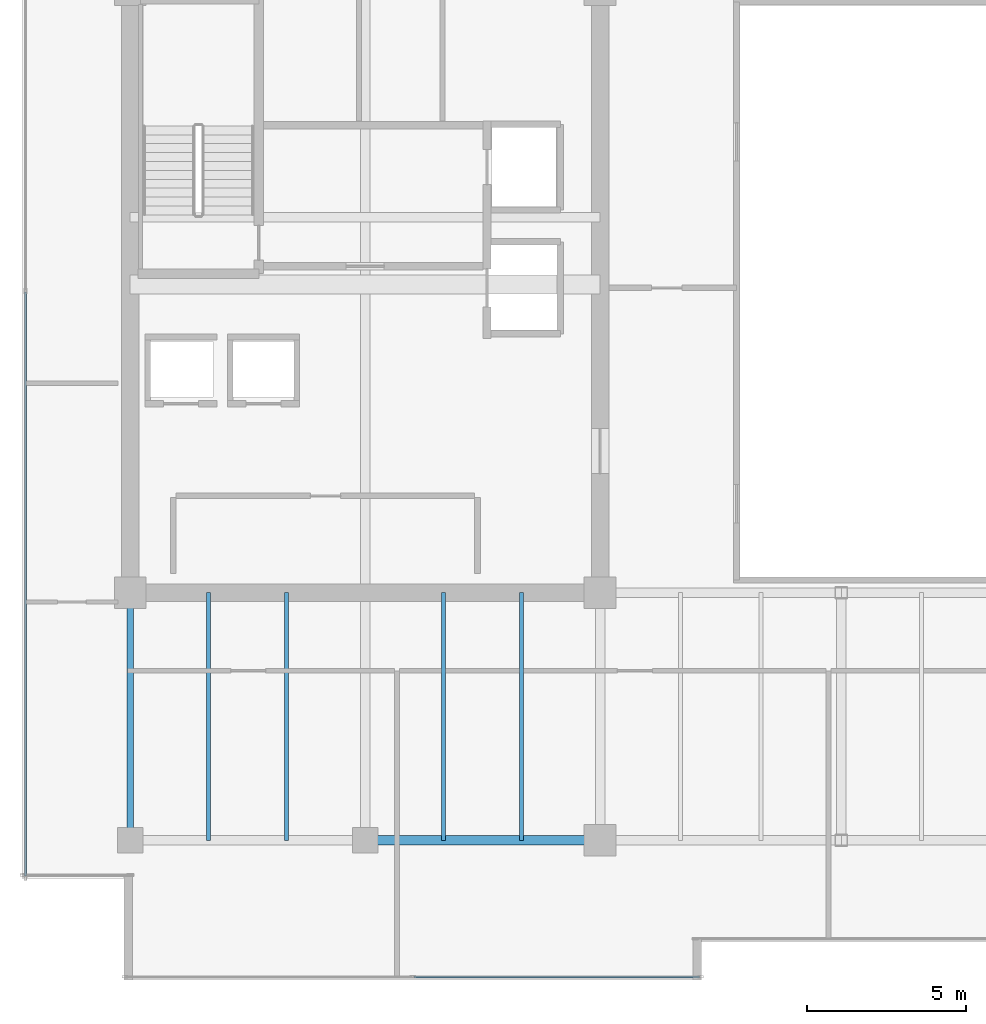
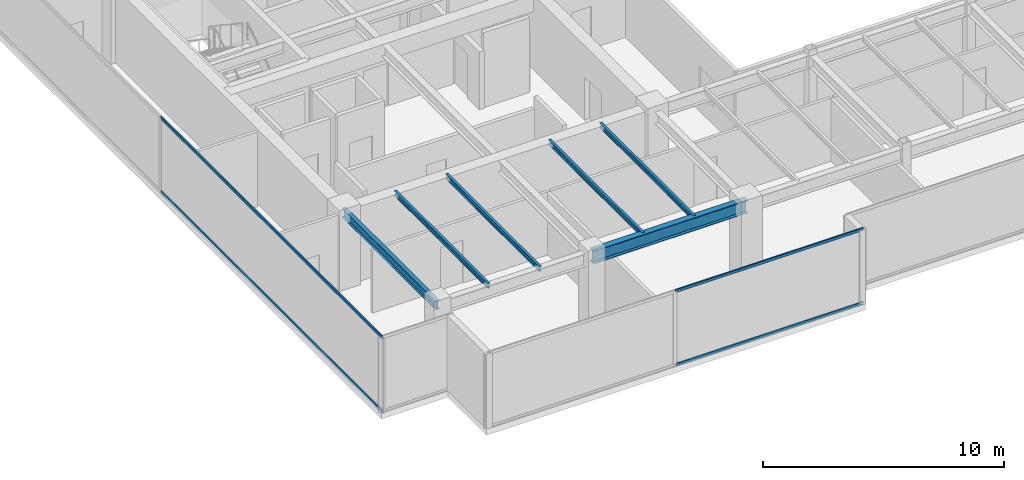
# One storey, part 6 of 33: 6 beams, 4 members, 2 elements without a shape of their own.
"""IFC4 building model written with IfcOpenShell, lengths in metres."""

from ifc_helpers import new_model, si_unit, direction, frame, origin, origin_2d, place, context, subcontext, project, spatial, hollow_rectangle, i_section, extrude, source, transform, mapped, material, layer, layer_set, material_profile, profile_set, type_object, type_shapes, element, aggregate, save


model = new_model("IFC4")

# Units and contexts
model_context = context("Model", 3, precision=1e-05, world=origin(), true_north=direction((0.0, 1.0)))
body_context = subcontext(model_context, "Body", "Model", "MODEL_VIEW")
ifc_project = project(units=[si_unit("LENGTHUNIT", "METRE"), si_unit("AREAUNIT", "SQUARE_METRE"), si_unit("VOLUMEUNIT", "CUBIC_METRE"), si_unit("PLANEANGLEUNIT", "RADIAN"), si_unit("MASSUNIT", "GRAM", prefix="KILO")], contexts=[model_context])

# Site, building, storey
site_placement = place(None, origin())
site = spatial("IfcSite", under=ifc_project, at=site_placement, CompositionType="ELEMENT")
building_placement = place(site_placement, origin())
building = spatial("IfcBuilding", under=site, at=building_placement, Name="Haelvirn Gate Laboratories", CompositionType="ELEMENT")
storey_placement = place(building_placement, frame((0.0, 0.0, 279.300048828125)))
storey = spatial("IfcBuildingStorey", under=building, at=storey_placement, Name="L67", CompositionType="ELEMENT", Elevation=279.300048828125)

# Beams
ifc_material_1 = material(Name="Steel SM355", Category="steel")
ifc_material_profile_1 = material_profile(ifc_material_1, i_section(OverallWidth=0.300048828125, OverallDepth=0.64990234375, WebThickness=0.012939453125, FlangeThickness=0.02197265625, at=origin_2d()), Name="H-650x300x13x22")
ifc_profile_set_1 = profile_set([ifc_material_profile_1], Name="Steel SM355")
beam_type_1 = type_object("IfcBeamType", Name="BM-G-650", PredefinedType="BEAM", material=ifc_profile_set_1)
shared_shape_1 = source(origin(), body_context, "Body", "SweptSolid", [
    extrude(i_section(OverallWidth=0.300048828125, OverallDepth=0.64990234375, WebThickness=0.012939453125, FlangeThickness=0.02197265625, at=origin_2d()), origin(), (0.0, 0.0, 1.0), 7.39990234375),
])
type_shapes(beam_type_1, [shared_shape_1])
beam_1_placement = place(storey_placement, frame((14.800048828125, 7.0, 3.474853515625), z_axis=(1.0, 0.0, 0.0), x_axis=(0.0, 1.0, 0.0)))
element("IfcBeam", 1, at=beam_1_placement, inside=storey, type_object=beam_type_1, Name="L67 Primary Girder Y7.0 (14.8-22.2)", PredefinedType="BEAM", context=body_context, shape_type="MappedRepresentation", body=[
    mapped(shared_shape_1, transform((0.0, 0.0, 0.0), scale=1.0)),
])
ifc_material_profile_2 = material_profile(ifc_material_1, i_section(OverallWidth=0.199951171875, OverallDepth=0.449951171875, WebThickness=0.009033203125, FlangeThickness=0.013916015625, at=origin_2d()), Name="H-450x200x9x14")
ifc_profile_set_2 = profile_set([ifc_material_profile_2], Name="Steel SM355")
beam_type_2 = type_object("IfcBeamType", Name="BM-SP-450", PredefinedType="SPANDREL", material=ifc_profile_set_2)
shared_shape_2 = source(origin(), body_context, "Body", "SweptSolid", [
    extrude(i_section(OverallWidth=0.199951171875, OverallDepth=0.449951171875, WebThickness=0.009033203125, FlangeThickness=0.013916015625, at=origin_2d()), origin(), (0.0, 0.0, 1.0), 7.800048828125),
])
type_shapes(beam_type_2, [shared_shape_2])
beam_2_placement = place(storey_placement, frame((7.39990234375, 7.0, 3.574951171875), z_axis=(0.0, 1.0, 0.0), x_axis=(-1.0, 0.0, 0.0)))
element("IfcBeam", 2, at=beam_2_placement, inside=storey, type_object=beam_type_2, Name="L67 Perimeter Spandrel X7.4 (7.0-14.8)", PredefinedType="SPANDREL", context=body_context, shape_type="MappedRepresentation", body=[
    mapped(shared_shape_2, transform((0.0, 0.0, 0.0), scale=1.0)),
])
ifc_material_profile_3 = material_profile(ifc_material_1, i_section(OverallWidth=0.125, OverallDepth=0.25, WebThickness=0.006103515625, FlangeThickness=0.009033203125, at=origin_2d()), Name="H-250x125x6x9")
ifc_profile_set_3 = profile_set([ifc_material_profile_3], Name="Steel SM355")
beam_type_3 = type_object("IfcBeamType", Name="BM-J-250", PredefinedType="JOIST", material=ifc_profile_set_3)
shared_shape_3 = source(origin(), body_context, "Body", "SweptSolid", [
    extrude(i_section(OverallWidth=0.125, OverallDepth=0.25, WebThickness=0.006103515625, FlangeThickness=0.009033203125, at=origin_2d()), origin(), (0.0, 0.0, 1.0), 7.800048828125),
])
type_shapes(beam_type_3, [shared_shape_3])
for number, where, z_axis, x_axis, name in (
    (3, (9.8701171875, 7.0, 3.675048828125), (0.0, 1.0, 0.0), (-1.0, 0.0, 0.0), "L67 Composite Lab Joist South X9.87"),
    (4, (12.330078125, 7.0, 3.675048828125), (0.0, 1.0, 0.0), (-1.0, 0.0, 0.0), "L67 Composite Lab Joist South X12.33"),
    (5, (17.27001953125, 7.0, 3.675048828125), (0.0, 1.0, 0.0), (-1.0, 0.0, 0.0), "L67 Composite Lab Joist South X17.27"),
    (6, (19.72998046875, 7.0, 3.675048828125), (0.0, 1.0, 0.0), (-1.0, 0.0, 0.0), "L67 Composite Lab Joist South X19.73"),
):
    element("IfcBeam", number, at=place(storey_placement, frame(where, z_axis=z_axis, x_axis=x_axis)), inside=storey, type_object=beam_type_3, Name=name, PredefinedType="JOIST", context=body_context, shape_type="MappedRepresentation", body=[
        mapped(shared_shape_3, transform((0.0, 0.0, 0.0), scale=1.0)),
    ])

# Curtain wall, members
ifc_material_2 = material(Name="Anodised bronze unitised aluminium & triple low-E glass", Category="aluminium")
ifc_layer = layer(ifc_material_2, 0.176025390625, Name="CW-SYS-4")
ifc_layer_set = layer_set([ifc_layer], Name="Anodised bronze unitised aluminium & triple low-E glass")
curtain_wall_type = type_object("IfcCurtainWallType", Name="CW-SYS-4", PredefinedType="NOTDEFINED", material=ifc_layer_set)
curtain_wall_1_placement = place(storey_placement, origin())
curtain_wall_1 = element("IfcCurtainWall", 7, at=curtain_wall_1_placement, inside=storey, type_object=curtain_wall_type, Name="L67 Unitised Curtain Wall CW-L67-P0-E00-1", PredefinedType="NOTDEFINED")
ifc_material_3 = material(Name="Extruded aluminium 6063-T6 (anodised bronze)", Category="aluminium")
ifc_material_profile_4 = material_profile(ifc_material_3, hollow_rectangle(XDim=0.06494140625, YDim=0.139892578125, WallThickness=0.00390625, at=origin_2d()), Name="CWT-140x65x4")
ifc_profile_set_4 = profile_set([ifc_material_profile_4], Name="Extruded aluminium 6063-T6 (anodised bronze)")
member_type = type_object("IfcMemberType", Name="CWT-T140", PredefinedType="USERDEFINED", material=ifc_profile_set_4)
shared_shape_4 = source(origin(), body_context, "Body", "SweptSolid", [
    extrude(hollow_rectangle(XDim=0.06494140625, YDim=0.139892578125, WallThickness=0.00390625, at=origin_2d()), origin(), (0.0, 0.0, 1.0), 8.9951171875),
])
member_1_placement = place(storey_placement, frame((16.3349609375, 2.699951171875, 0.032470703125), z_axis=(1.0, 0.0, 0.0), x_axis=(0.0, 1.0, 0.0)))
member_1 = element("IfcMember", 8, at=member_1_placement, type_object=member_type, Name="CW4 transom 2.1", ObjectType="TRANSOM", PredefinedType="USERDEFINED", context=body_context, shape_type="MappedRepresentation", body=[
    mapped(shared_shape_4, transform((0.0, 0.0, 0.0), scale=1.0)),
])
member_2_placement = place(storey_placement, frame((16.3349609375, 2.699951171875, 3.767333984375), z_axis=(1.0, 0.0, 0.0), x_axis=(0.0, 1.0, 0.0)))
member_2 = element("IfcMember", 9, at=member_2_placement, type_object=member_type, Name="CW4 transom 2.2", ObjectType="TRANSOM", PredefinedType="USERDEFINED", context=body_context, shape_type="MappedRepresentation", body=[
    mapped(shared_shape_4, transform((0.0, 0.0, 0.0), scale=1.0)),
])
aggregate(curtain_wall_1, [member_1, member_2])

curtain_wall_2_placement = place(storey_placement, origin())
curtain_wall_2 = element("IfcCurtainWall", 10, at=curtain_wall_2_placement, inside=storey, type_object=curtain_wall_type, Name="L67 Unitised Curtain Wall CW-L67-P0-E17", PredefinedType="NOTDEFINED")
shared_shape_5 = source(origin(), body_context, "Body", "SweptSolid", [
    extrude(hollow_rectangle(XDim=0.06494140625, YDim=0.139892578125, WallThickness=0.00390625, at=origin_2d()), origin(), (0.0, 0.0, 1.0), 18.394775390625),
])
type_shapes(member_type, [shared_shape_4, shared_shape_5])
member_3_placement = place(storey_placement, frame((4.10009765625, 24.264892578125, 0.032470703125), z_axis=(0.0, -1.0, 0.0), x_axis=(1.0, 0.0, 0.0)))
member_3 = element("IfcMember", 11, at=member_3_placement, type_object=member_type, Name="CW4 transom 2.1", ObjectType="TRANSOM", PredefinedType="USERDEFINED", context=body_context, shape_type="MappedRepresentation", body=[
    mapped(shared_shape_5, transform((0.0, 0.0, 0.0), scale=1.0)),
])
member_4_placement = place(storey_placement, frame((4.10009765625, 24.264892578125, 3.767333984375), z_axis=(0.0, -1.0, 0.0), x_axis=(1.0, 0.0, 0.0)))
member_4 = element("IfcMember", 12, at=member_4_placement, type_object=member_type, Name="CW4 transom 2.2", ObjectType="TRANSOM", PredefinedType="USERDEFINED", context=body_context, shape_type="MappedRepresentation", body=[
    mapped(shared_shape_5, transform((0.0, 0.0, 0.0), scale=1.0)),
])
aggregate(curtain_wall_2, [member_3, member_4])

save(model, "model.ifc")
